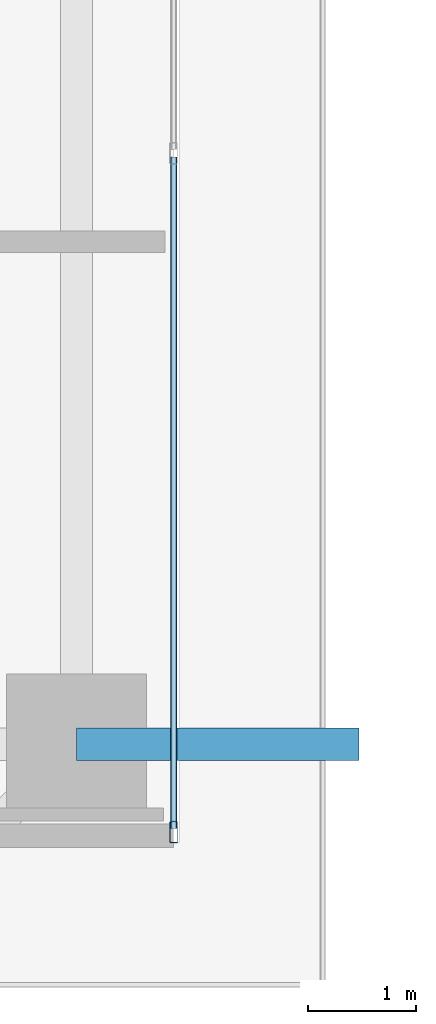
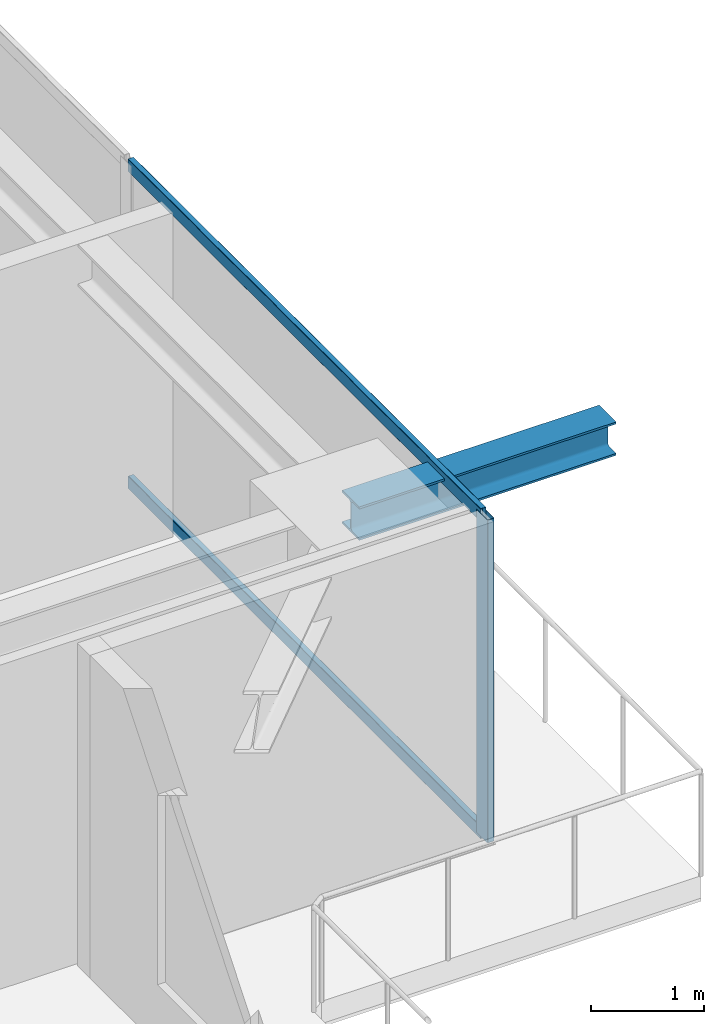
# One storey, part 12 of 35: 3 members, 1 beam, 1 element without a shape of its own.
"""IFC4 building model written with IfcOpenShell, lengths in metres."""

from ifc_helpers import new_model, si_unit, direction, frame, origin, origin_2d, place, context, subcontext, project, spatial, hollow_rectangle, i_section, extrude, source, transform, mapped, material, layer, layer_set, material_profile, profile_set, type_object, element, aggregate, save


model = new_model("IFC4")

# Units and contexts
model_context = context("Model", 3, precision=1e-05, world=origin(), true_north=direction((0.0, 1.0)))
body_context = subcontext(model_context, "Body", "Model", "MODEL_VIEW")
ifc_project = project(units=[si_unit("LENGTHUNIT", "METRE"), si_unit("AREAUNIT", "SQUARE_METRE"), si_unit("VOLUMEUNIT", "CUBIC_METRE"), si_unit("PLANEANGLEUNIT", "RADIAN"), si_unit("MASSUNIT", "GRAM", prefix="KILO")], contexts=[model_context])

# Site, building, storey
site_placement = place(None, origin())
site = spatial("IfcSite", under=ifc_project, at=site_placement, CompositionType="ELEMENT")
building_placement = place(site_placement, origin())
building = spatial("IfcBuilding", under=site, at=building_placement, Name="Serunith Strait Residences", CompositionType="ELEMENT")
storey_placement = place(building_placement, frame((0.0, 0.0, 157.64990234375)))
storey = spatial("IfcBuildingStorey", under=building, at=storey_placement, Name="L39", CompositionType="ELEMENT", Elevation=157.64990234375)

# Beam
ifc_material_1 = material(Name="Steel S355J2", Category="steel")
ifc_material_profile_1 = material_profile(ifc_material_1, i_section(OverallWidth=0.300048828125, OverallDepth=0.360107421875, WebThickness=0.012451171875, FlangeThickness=0.0224609375, FilletRadius=0.027099609375, at=origin_2d()), Name="HEB 360")
ifc_profile_set_1 = profile_set([ifc_material_profile_1], Name="Steel S355J2")
beam_type = type_object("IfcBeamType", Name="BM-HEB360", PredefinedType="BEAM", material=ifc_profile_set_1)
shared_shape_1 = source(origin(), body_context, "Body", "SweptSolid", [
    extrude(i_section(OverallWidth=0.300048828125, OverallDepth=0.360107421875, WebThickness=0.012451171875, FlangeThickness=0.0224609375, FilletRadius=0.027099609375, at=origin_2d()), origin(), (0.0, 0.0, 1.0), 2.616455078125),
])
beam_placement = place(storey_placement, frame((56.10009765625, 10.25, 3.277099609375), z_axis=(1.0, 0.0, 0.0), x_axis=(0.0, 1.0, 0.0)))
element("IfcBeam", 1, at=beam_placement, inside=storey, type_object=beam_type, Name="L40 Cantilevered Balcony Rib TC-E1", PredefinedType="BEAM", context=body_context, shape_type="MappedRepresentation", body=[
    mapped(shared_shape_1, transform((0.0, 0.0, 0.0), scale=1.0)),
])

# Curtain wall, members
ifc_material_2 = material(Name="Pale-Champagne Anodised Aluminium", Category="aluminium")
ifc_layer = layer(ifc_material_2, 0.199951171875, Name="Pale-Champagne Anodised Aluminium")
ifc_layer_set = layer_set([ifc_layer], Name="Pale-Champagne Anodised Aluminium")
curtain_wall_type = type_object("IfcCurtainWallType", Name="CW-SYS2", PredefinedType="NOTDEFINED", material=ifc_layer_set)
curtain_wall_placement = place(storey_placement, origin())
curtain_wall = element("IfcCurtainWall", 2, at=curtain_wall_placement, inside=storey, type_object=curtain_wall_type, Name="L39 E Unitised Fritted Curtain Wall", PredefinedType="NOTDEFINED")
ifc_material_profile_2 = material_profile(ifc_material_2, hollow_rectangle(XDim=0.070068359375, YDim=0.199951171875, WallThickness=0.00390625, InnerFilletRadius=0.006103515625, OuterFilletRadius=0.010009765625, at=origin_2d()), Name="ALU 200x70x4")
ifc_profile_set_2 = profile_set([ifc_material_profile_2], Name="Pale-Champagne Anodised Aluminium")
member_type_1 = type_object("IfcMemberType", Name="CW-SYS2-MULL", PredefinedType="MULLION", material=ifc_profile_set_2)
shared_shape_2 = source(origin(), body_context, "Body", "SweptSolid", [
    extrude(hollow_rectangle(XDim=0.070068359375, YDim=0.199951171875, WallThickness=0.00390625, InnerFilletRadius=0.006103515625, OuterFilletRadius=0.010009765625, at=origin_2d()), origin(), (0.0, 0.0, 1.0), 3.47509765625),
])
member_1_placement = place(storey_placement, frame((57.0, 9.43505859375, 0.0), z_axis=(0.0, 0.0, 1.0), x_axis=(-1.0, 0.0, 0.0)))
member_1 = element("IfcMember", 3, at=member_1_placement, type_object=member_type_1, Name="CW-2 mullion 1", PredefinedType="MULLION", context=body_context, shape_type="MappedRepresentation", body=[
    mapped(shared_shape_2, transform((0.0, 0.0, 0.0), scale=1.0)),
])
ifc_material_profile_3 = material_profile(ifc_material_2, hollow_rectangle(XDim=0.06005859375, YDim=0.139892578125, WallThickness=0.00341796875, InnerFilletRadius=0.00537109375, OuterFilletRadius=0.0087890625, at=origin_2d()), Name="ALU 140x60x3.5")
ifc_profile_set_3 = profile_set([ifc_material_profile_3], Name="Pale-Champagne Anodised Aluminium")
member_type_2 = type_object("IfcMemberType", Name="CW-SYS2-TRAN", PredefinedType="USERDEFINED", material=ifc_profile_set_3)
shared_shape_3 = source(origin(), body_context, "Body", "SweptSolid", [
    extrude(hollow_rectangle(XDim=0.06005859375, YDim=0.139892578125, WallThickness=0.00341796875, InnerFilletRadius=0.00537109375, OuterFilletRadius=0.0087890625, at=origin_2d()), origin(), (0.0, 0.0, 1.0), 6.215087890625),
])
member_2_placement = place(storey_placement, frame((57.0, 9.469970703125, 0.030029296875), z_axis=(0.0, 1.0, 0.0), x_axis=(-1.0, 0.0, 0.0)))
member_2 = element("IfcMember", 4, at=member_2_placement, type_object=member_type_2, Name="CW-2 transom 1.1", ObjectType="TRANSOM", PredefinedType="USERDEFINED", context=body_context, shape_type="MappedRepresentation", body=[
    mapped(shared_shape_3, transform((0.0, 0.0, 0.0), scale=1.0)),
])
member_3_placement = place(storey_placement, frame((57.0, 9.469970703125, 3.445068359375), z_axis=(0.0, 1.0, 0.0), x_axis=(-1.0, 0.0, 0.0)))
member_3 = element("IfcMember", 5, at=member_3_placement, type_object=member_type_2, Name="CW-2 transom 1.2", ObjectType="TRANSOM", PredefinedType="USERDEFINED", context=body_context, shape_type="MappedRepresentation", body=[
    mapped(shared_shape_3, transform((0.0, 0.0, 0.0), scale=1.0)),
])
aggregate(curtain_wall, [member_1, member_2, member_3])

save(model, "model.ifc")
